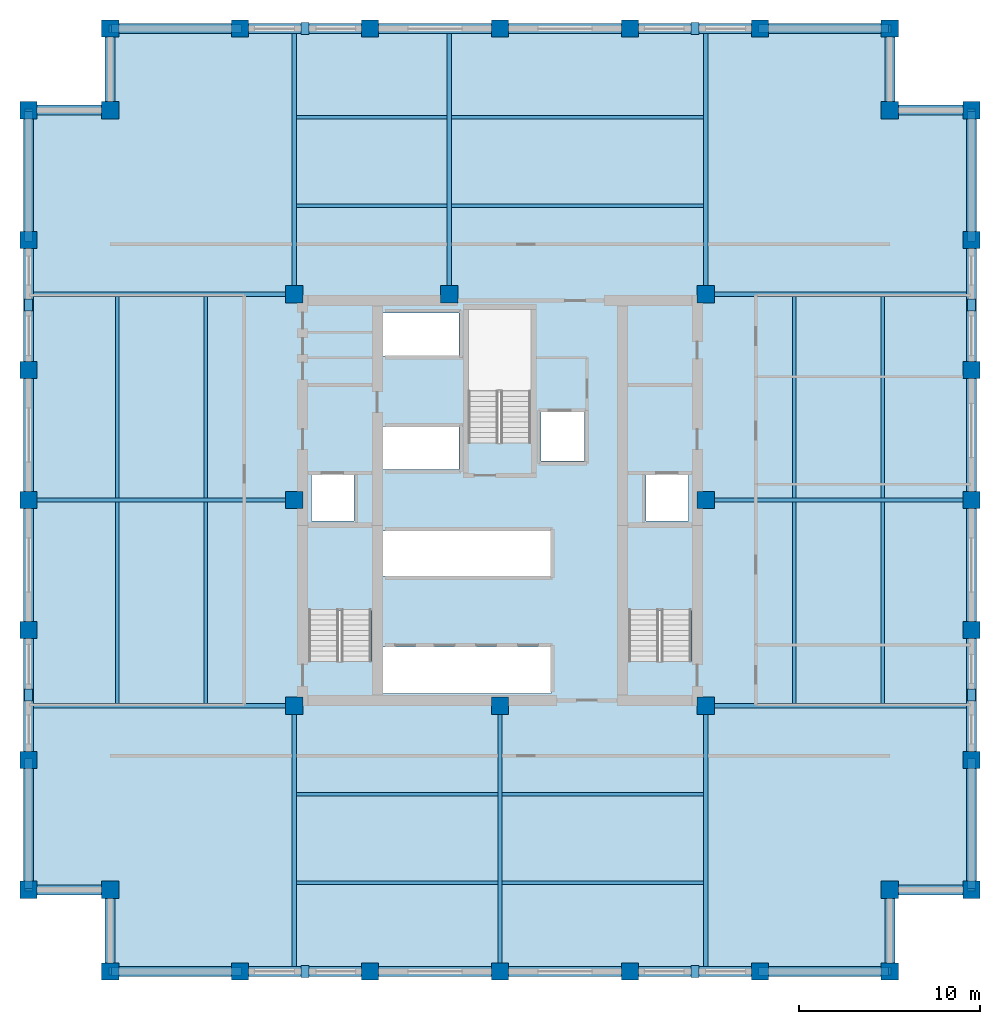
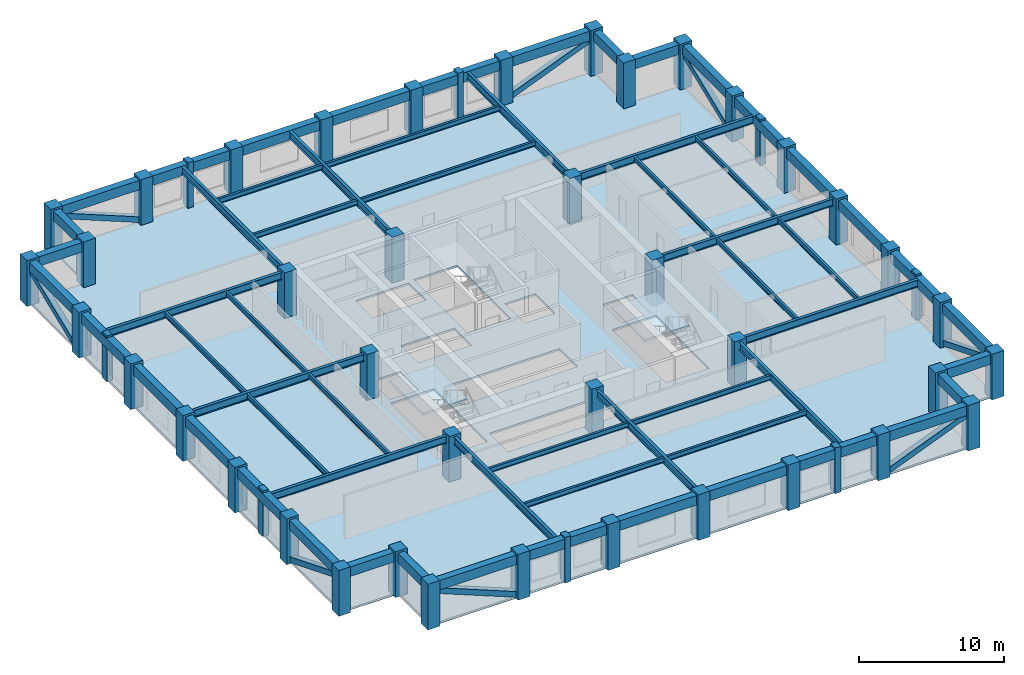
# One storey, part 1 of 6: 60 beams, 40 columns, 16 members, 3 slabs, 2 elements without a shape of their own.
"""IFC4 building model written with IfcOpenShell, lengths in metres."""

from ifc_helpers import new_model, si_unit, direction, frame, origin, origin_2d, place, context, subcontext, project, spatial, polyline, rectangle, hollow_rectangle, i_section, outline, extrude, material, layer, layer_set, material_profile, profile_set, type_object, element, aggregate, save


model = new_model("IFC4")

# Units and contexts
model_context = context("Model", 3, precision=1e-05, world=origin(), true_north=direction((0.0, 1.0)))
body_context = subcontext(model_context, "Body", "Model", "MODEL_VIEW")
ifc_project = project(units=[si_unit("LENGTHUNIT", "METRE"), si_unit("AREAUNIT", "SQUARE_METRE"), si_unit("VOLUMEUNIT", "CUBIC_METRE"), si_unit("PLANEANGLEUNIT", "RADIAN"), si_unit("MASSUNIT", "GRAM", prefix="KILO")], contexts=[model_context])

# Site, building, storey
site_placement = place(None, origin())
site = spatial("IfcSite", under=ifc_project, at=site_placement, CompositionType="ELEMENT")
building_placement = place(site_placement, origin())
building = spatial("IfcBuilding", under=site, at=building_placement, Name="Nhamokura Convention Tower", CompositionType="ELEMENT")
storey_placement = place(building_placement, frame((0.0, 0.0, 145.25)))
storey = spatial("IfcBuildingStorey", under=building, at=storey_placement, Name="L35", CompositionType="ELEMENT", Elevation=145.25)

# Columns
ifc_material_1 = material(Name="Concrete C60/75", Category="concrete")
ifc_material_profile_1 = material_profile(ifc_material_1, rectangle(XDim=0.949951171875, YDim=0.949951171875, at=origin_2d()))
ifc_profile_set_1 = profile_set([ifc_material_profile_1], Name="Concrete C60/75")
column_type = type_object("IfcColumnType", Name="TubeColumn_Z2_950", PredefinedType="COLUMN", material=ifc_profile_set_1)
for number, where, z_axis, x_axis, name in (
    (1, (20.64990234375, 20.64990234375, 0.0), (0.0, 0.0, 1.0), (1.0, 0.0, 0.0), "L35 Core Column CC-SW"),
    (2, (32.0, 20.64990234375, 0.0), (0.0, 0.0, 1.0), (1.0, 0.0, 0.0), "L35 Core Column CC-S"),
    (3, (43.35009765625, 20.64990234375, 0.0), (0.0, 0.0, 1.0), (1.0, 0.0, 0.0), "L35 Core Column CC-SE"),
    (4, (43.35009765625, 32.0, 0.0), (0.0, 0.0, 1.0), (1.0, 0.0, 0.0), "L35 Core Column CC-E"),
    (5, (43.35009765625, 43.35009765625, 0.0), (0.0, 0.0, 1.0), (1.0, 0.0, 0.0), "L35 Core Column CC-NE"),
    (6, (29.199951171875, 43.35009765625, 0.0), (0.0, 0.0, 1.0), (1.0, 0.0, 0.0), "L35 Core Column CC-N"),
    (7, (20.64990234375, 43.35009765625, 0.0), (0.0, 0.0, 1.0), (1.0, 0.0, 0.0), "L35 Core Column CC-NW"),
    (8, (20.64990234375, 32.0, 0.0), (0.0, 0.0, 1.0), (1.0, 0.0, 0.0), "L35 Core Column CC-W"),
    (9, (10.5, 6.0, 0.0), (0.0, 0.0, 1.0), (1.0, 0.0, 0.0), "L35 Perimeter Tube Column SW1"),
    (10, (10.5, 10.5, 0.0), (0.0, 0.0, 1.0), (1.0, 0.0, 0.0), "L35 Perimeter Tube Column SW0"),
    (11, (6.0, 10.5, 0.0), (0.0, 0.0, 1.0), (1.0, 0.0, 0.0), "L35 Perimeter Tube Column SW2"),
    (12, (53.5, 6.0, 0.0), (0.0, 0.0, 1.0), (1.0, 0.0, 0.0), "L35 Perimeter Tube Column SE1"),
    (13, (53.5, 10.5, 0.0), (0.0, 0.0, 1.0), (1.0, 0.0, 0.0), "L35 Perimeter Tube Column SE0"),
    (14, (58.0, 10.5, 0.0), (0.0, 0.0, 1.0), (1.0, 0.0, 0.0), "L35 Perimeter Tube Column SE2"),
    (15, (58.0, 53.5, 0.0), (0.0, 0.0, 1.0), (1.0, 0.0, 0.0), "L35 Perimeter Tube Column NE1"),
    (16, (53.5, 53.5, 0.0), (0.0, 0.0, 1.0), (1.0, 0.0, 0.0), "L35 Perimeter Tube Column NE0"),
    (17, (53.5, 58.0, 0.0), (0.0, 0.0, 1.0), (1.0, 0.0, 0.0), "L35 Perimeter Tube Column NE2"),
    (18, (10.5, 58.0, 0.0), (0.0, 0.0, 1.0), (1.0, 0.0, 0.0), "L35 Perimeter Tube Column NW1"),
    (19, (10.5, 53.5, 0.0), (0.0, 0.0, 1.0), (1.0, 0.0, 0.0), "L35 Perimeter Tube Column NW0"),
    (20, (6.0, 53.5, 0.0), (0.0, 0.0, 1.0), (1.0, 0.0, 0.0), "L35 Perimeter Tube Column NW2"),
    (21, (17.666748046875, 6.0, 0.0), (0.0, 0.0, 1.0), (1.0, 0.0, 0.0), "L35 Perimeter Tube Column S1"),
    (22, (17.666748046875, 58.0, 0.0), (0.0, 0.0, 1.0), (1.0, 0.0, 0.0), "L35 Perimeter Tube Column N1"),
    (23, (6.0, 17.666748046875, 0.0), (0.0, 0.0, 1.0), (1.0, 0.0, 0.0), "L35 Perimeter Tube Column W1"),
    (24, (58.0, 17.666748046875, 0.0), (0.0, 0.0, 1.0), (1.0, 0.0, 0.0), "L35 Perimeter Tube Column E1"),
    (25, (24.833251953125, 6.0, 0.0), (0.0, 0.0, 1.0), (1.0, 0.0, 0.0), "L35 Perimeter Tube Column S2"),
    (26, (24.833251953125, 58.0, 0.0), (0.0, 0.0, 1.0), (1.0, 0.0, 0.0), "L35 Perimeter Tube Column N2"),
    (27, (6.0, 24.833251953125, 0.0), (0.0, 0.0, 1.0), (1.0, 0.0, 0.0), "L35 Perimeter Tube Column W2"),
    (28, (58.0, 24.833251953125, 0.0), (0.0, 0.0, 1.0), (1.0, 0.0, 0.0), "L35 Perimeter Tube Column E2"),
    (29, (32.0, 6.0, 0.0), (0.0, 0.0, 1.0), (1.0, 0.0, 0.0), "L35 Perimeter Tube Column S3"),
    (30, (32.0, 58.0, 0.0), (0.0, 0.0, 1.0), (1.0, 0.0, 0.0), "L35 Perimeter Tube Column N3"),
    (31, (6.0, 32.0, 0.0), (0.0, 0.0, 1.0), (1.0, 0.0, 0.0), "L35 Perimeter Tube Column W3"),
    (32, (58.0, 32.0, 0.0), (0.0, 0.0, 1.0), (1.0, 0.0, 0.0), "L35 Perimeter Tube Column E3"),
    (33, (39.166748046875, 6.0, 0.0), (0.0, 0.0, 1.0), (1.0, 0.0, 0.0), "L35 Perimeter Tube Column S4"),
    (34, (39.166748046875, 58.0, 0.0), (0.0, 0.0, 1.0), (1.0, 0.0, 0.0), "L35 Perimeter Tube Column N4"),
    (35, (6.0, 39.166748046875, 0.0), (0.0, 0.0, 1.0), (1.0, 0.0, 0.0), "L35 Perimeter Tube Column W4"),
    (36, (58.0, 39.166748046875, 0.0), (0.0, 0.0, 1.0), (1.0, 0.0, 0.0), "L35 Perimeter Tube Column E4"),
    (37, (46.333251953125, 6.0, 0.0), (0.0, 0.0, 1.0), (1.0, 0.0, 0.0), "L35 Perimeter Tube Column S5"),
    (38, (46.333251953125, 58.0, 0.0), (0.0, 0.0, 1.0), (1.0, 0.0, 0.0), "L35 Perimeter Tube Column N5"),
    (39, (6.0, 46.333251953125, 0.0), (0.0, 0.0, 1.0), (1.0, 0.0, 0.0), "L35 Perimeter Tube Column W5"),
    (40, (58.0, 46.333251953125, 0.0), (0.0, 0.0, 1.0), (1.0, 0.0, 0.0), "L35 Perimeter Tube Column E5"),
):
    element("IfcColumn", number, at=place(storey_placement, frame(where, z_axis=z_axis, x_axis=x_axis)), inside=storey, type_object=column_type, Name=name, PredefinedType="COLUMN", context=body_context, shape_type="SweptSolid", body=[
        extrude(rectangle(XDim=0.949951171875, YDim=0.949951171875, at=origin_2d()), origin(), (0.0, 0.0, 1.0), 3.85009765625),
    ])

# Members
ifc_material_2 = material(Name="Bronze-pigmented precast concrete C45/55", Category="concrete")
ifc_material_profile_2 = material_profile(ifc_material_2, rectangle(XDim=0.449951171875, YDim=0.64990234375, at=origin_2d()))
ifc_profile_set_2 = profile_set([ifc_material_profile_2], Name="Bronze-pigmented precast concrete C45/55")
member_type_1 = type_object("IfcMemberType", Name="BronzePilaster_650", PredefinedType="USERDEFINED", material=ifc_profile_set_2)
for number, where, z_axis, x_axis, name in (
    (41, (21.25, 6.0, 0.0), (0.0, 0.0, 1.0), (1.0, 0.0, 0.0), "L35 Engaged Frame Pilaster SOUTH 1"),
    (42, (42.75, 6.0, 0.0), (0.0, 0.0, 1.0), (1.0, 0.0, 0.0), "L35 Engaged Frame Pilaster SOUTH 4"),
    (43, (21.25, 58.0, 0.0), (0.0, 0.0, 1.0), (1.0, 0.0, 0.0), "L35 Engaged Frame Pilaster NORTH 1"),
    (44, (42.75, 58.0, 0.0), (0.0, 0.0, 1.0), (1.0, 0.0, 0.0), "L35 Engaged Frame Pilaster NORTH 4"),
    (45, (6.0, 21.25, 0.0), (0.0, 0.0, 1.0), (1.0, 0.0, 0.0), "L35 Engaged Frame Pilaster WEST 1"),
    (46, (6.0, 42.75, 0.0), (0.0, 0.0, 1.0), (1.0, 0.0, 0.0), "L35 Engaged Frame Pilaster WEST 4"),
    (47, (58.0, 21.25, 0.0), (0.0, 0.0, 1.0), (1.0, 0.0, 0.0), "L35 Engaged Frame Pilaster EAST 1"),
    (48, (58.0, 42.75, 0.0), (0.0, 0.0, 1.0), (1.0, 0.0, 0.0), "L35 Engaged Frame Pilaster EAST 4"),
):
    element("IfcMember", number, at=place(storey_placement, frame(where, z_axis=z_axis, x_axis=x_axis)), inside=storey, type_object=member_type_1, Name=name, ObjectType="PILASTER_TRIM", PredefinedType="USERDEFINED", context=body_context, shape_type="SweptSolid", body=[
        extrude(rectangle(XDim=0.449951171875, YDim=0.64990234375, at=origin_2d()), origin(), (0.0, 0.0, 1.0), 3.85009765625),
    ])

# Beams
ifc_material_3 = material(Name="Steel ASTM A992 Gr 50", Category="steel")
ifc_material_profile_3 = material_profile(ifc_material_3, i_section(OverallWidth=0.177001953125, OverallDepth=0.403076171875, WebThickness=0.007568359375, FlangeThickness=0.010986328125, at=origin_2d()))
ifc_profile_set_3 = profile_set([ifc_material_profile_3], Name="Steel ASTM A992 Gr 50")
beam_type_1 = type_object("IfcBeamType", Name="FloorJoist_W410X53", PredefinedType="JOIST", material=ifc_profile_set_3)
for number, where, z_axis, x_axis, name in (
    (49, (20.762939453125, 10.88330078125, 3.4833984375), (1.0, 0.0, 0.0), (0.0, 1.0, 0.0), "L35 Composite Floor Joist S1A"),
    (50, (32.113037109375, 10.88330078125, 3.4833984375), (1.0, 0.0, 0.0), (0.0, 1.0, 0.0), "L35 Composite Floor Joist S1B"),
    (51, (20.762939453125, 15.7666015625, 3.4833984375), (1.0, 0.0, 0.0), (0.0, 1.0, 0.0), "L35 Composite Floor Joist S2A"),
    (52, (32.113037109375, 15.7666015625, 3.4833984375), (1.0, 0.0, 0.0), (0.0, 1.0, 0.0), "L35 Composite Floor Joist S2B"),
):
    element("IfcBeam", number, at=place(storey_placement, frame(where, z_axis=z_axis, x_axis=x_axis)), inside=storey, type_object=beam_type_1, Name=name, PredefinedType="JOIST", context=body_context, shape_type="SweptSolid", body=[
        extrude(i_section(OverallWidth=0.177001953125, OverallDepth=0.403076171875, WebThickness=0.007568359375, FlangeThickness=0.010986328125, at=origin_2d()), origin(), (0.0, 0.0, 1.0), 11.1240234375),
    ])
beam_1_placement = place(storey_placement, frame((20.762939453125, 48.2333984375, 3.4833984375), z_axis=(1.0, 0.0, 0.0), x_axis=(0.0, 1.0, 0.0)))
element("IfcBeam", 53, at=beam_1_placement, inside=storey, type_object=beam_type_1, Name="L35 Composite Floor Joist N1A", PredefinedType="JOIST", context=body_context, shape_type="SweptSolid", body=[
    extrude(i_section(OverallWidth=0.177001953125, OverallDepth=0.403076171875, WebThickness=0.007568359375, FlangeThickness=0.010986328125, at=origin_2d()), origin(), (0.0, 0.0, 1.0), 8.323974609375),
])
beam_2_placement = place(storey_placement, frame((29.31298828125, 48.2333984375, 3.4833984375), z_axis=(1.0, 0.0, 0.0), x_axis=(0.0, 1.0, 0.0)))
element("IfcBeam", 54, at=beam_2_placement, inside=storey, type_object=beam_type_1, Name="L35 Composite Floor Joist N1B", PredefinedType="JOIST", context=body_context, shape_type="SweptSolid", body=[
    extrude(i_section(OverallWidth=0.177001953125, OverallDepth=0.403076171875, WebThickness=0.007568359375, FlangeThickness=0.010986328125, at=origin_2d()), origin(), (0.0, 0.0, 1.0), 13.924072265625),
])
beam_3_placement = place(storey_placement, frame((20.762939453125, 53.11669921875, 3.4833984375), z_axis=(1.0, 0.0, 0.0), x_axis=(0.0, 1.0, 0.0)))
element("IfcBeam", 55, at=beam_3_placement, inside=storey, type_object=beam_type_1, Name="L35 Composite Floor Joist N2A", PredefinedType="JOIST", context=body_context, shape_type="SweptSolid", body=[
    extrude(i_section(OverallWidth=0.177001953125, OverallDepth=0.403076171875, WebThickness=0.007568359375, FlangeThickness=0.010986328125, at=origin_2d()), origin(), (0.0, 0.0, 1.0), 8.323974609375),
])
beam_4_placement = place(storey_placement, frame((29.31298828125, 53.11669921875, 3.4833984375), z_axis=(1.0, 0.0, 0.0), x_axis=(0.0, 1.0, 0.0)))
element("IfcBeam", 56, at=beam_4_placement, inside=storey, type_object=beam_type_1, Name="L35 Composite Floor Joist N2B", PredefinedType="JOIST", context=body_context, shape_type="SweptSolid", body=[
    extrude(i_section(OverallWidth=0.177001953125, OverallDepth=0.403076171875, WebThickness=0.007568359375, FlangeThickness=0.010986328125, at=origin_2d()), origin(), (0.0, 0.0, 1.0), 13.924072265625),
])
for number, where, z_axis, x_axis, name in (
    (57, (10.88330078125, 20.762939453125, 3.4833984375), (0.0, 1.0, 0.0), (-1.0, 0.0, 0.0), "L35 Composite Floor Joist W1A"),
    (58, (10.88330078125, 32.113037109375, 3.4833984375), (0.0, 1.0, 0.0), (-1.0, 0.0, 0.0), "L35 Composite Floor Joist W1B"),
    (59, (15.7666015625, 20.762939453125, 3.4833984375), (0.0, 1.0, 0.0), (-1.0, 0.0, 0.0), "L35 Composite Floor Joist W2A"),
    (60, (15.7666015625, 32.113037109375, 3.4833984375), (0.0, 1.0, 0.0), (-1.0, 0.0, 0.0), "L35 Composite Floor Joist W2B"),
    (61, (48.2333984375, 20.762939453125, 3.4833984375), (0.0, 1.0, 0.0), (-1.0, 0.0, 0.0), "L35 Composite Floor Joist E1A"),
    (62, (48.2333984375, 32.113037109375, 3.4833984375), (0.0, 1.0, 0.0), (-1.0, 0.0, 0.0), "L35 Composite Floor Joist E1B"),
    (63, (53.11669921875, 20.762939453125, 3.4833984375), (0.0, 1.0, 0.0), (-1.0, 0.0, 0.0), "L35 Composite Floor Joist E2A"),
    (64, (53.11669921875, 32.113037109375, 3.4833984375), (0.0, 1.0, 0.0), (-1.0, 0.0, 0.0), "L35 Composite Floor Joist E2B"),
):
    element("IfcBeam", number, at=place(storey_placement, frame(where, z_axis=z_axis, x_axis=x_axis)), inside=storey, type_object=beam_type_1, Name=name, PredefinedType="JOIST", context=body_context, shape_type="SweptSolid", body=[
        extrude(i_section(OverallWidth=0.177001953125, OverallDepth=0.403076171875, WebThickness=0.007568359375, FlangeThickness=0.010986328125, at=origin_2d()), origin(), (0.0, 0.0, 1.0), 11.1240234375),
    ])
ifc_material_4 = material(Name="Steel ASTM A992 Gr 50", Category="steel")
ifc_material_profile_4 = material_profile(ifc_material_4, i_section(OverallWidth=0.22998046875, OverallDepth=0.616943359375, WebThickness=0.01318359375, FlangeThickness=0.022216796875, at=origin_2d()))
ifc_profile_set_4 = profile_set([ifc_material_profile_4], Name="Steel ASTM A992 Gr 50")
beam_type_2 = type_object("IfcBeamType", Name="PrimaryGirder_W610X140", PredefinedType="BEAM", material=ifc_profile_set_4)
for number, where, z_axis, x_axis, name in (
    (65, (20.64990234375, 6.0, 3.37646484375), (0.0, 1.0, 0.0), (-1.0, 0.0, 0.0), "L35 Primary Floor Girder PG-S1"),
    (66, (32.0, 6.0, 3.37646484375), (0.0, 1.0, 0.0), (-1.0, 0.0, 0.0), "L35 Primary Floor Girder PG-S2"),
    (67, (43.35009765625, 6.0, 3.37646484375), (0.0, 1.0, 0.0), (-1.0, 0.0, 0.0), "L35 Primary Floor Girder PG-S3"),
    (68, (20.64990234375, 43.35009765625, 3.37646484375), (0.0, 1.0, 0.0), (-1.0, 0.0, 0.0), "L35 Primary Floor Girder PG-N1"),
    (69, (29.199951171875, 43.35009765625, 3.37646484375), (0.0, 1.0, 0.0), (-1.0, 0.0, 0.0), "L35 Primary Floor Girder PG-N2"),
    (70, (43.35009765625, 43.35009765625, 3.37646484375), (0.0, 1.0, 0.0), (-1.0, 0.0, 0.0), "L35 Primary Floor Girder PG-N3"),
    (71, (6.0, 20.64990234375, 3.37646484375), (1.0, 0.0, 0.0), (0.0, 1.0, 0.0), "L35 Primary Floor Girder PG-W1"),
    (72, (6.0, 32.0, 3.37646484375), (1.0, 0.0, 0.0), (0.0, 1.0, 0.0), "L35 Primary Floor Girder PG-W2"),
    (73, (6.0, 43.35009765625, 3.37646484375), (1.0, 0.0, 0.0), (0.0, 1.0, 0.0), "L35 Primary Floor Girder PG-W3"),
    (74, (43.35009765625, 20.64990234375, 3.37646484375), (1.0, 0.0, 0.0), (0.0, 1.0, 0.0), "L35 Primary Floor Girder PG-E1"),
    (75, (43.35009765625, 32.0, 3.37646484375), (1.0, 0.0, 0.0), (0.0, 1.0, 0.0), "L35 Primary Floor Girder PG-E2"),
    (76, (43.35009765625, 43.35009765625, 3.37646484375), (1.0, 0.0, 0.0), (0.0, 1.0, 0.0), "L35 Primary Floor Girder PG-E3"),
):
    element("IfcBeam", number, at=place(storey_placement, frame(where, z_axis=z_axis, x_axis=x_axis)), inside=storey, type_object=beam_type_2, Name=name, PredefinedType="BEAM", context=body_context, shape_type="SweptSolid", body=[
        extrude(i_section(OverallWidth=0.22998046875, OverallDepth=0.616943359375, WebThickness=0.01318359375, FlangeThickness=0.022216796875, at=origin_2d()), origin(), (0.0, 0.0, 1.0), 14.64990234375),
    ])

# Members
ifc_material_5 = material(Name="Steel ASTM A572 Gr 50", Category="steel")
ifc_material_profile_5 = material_profile(ifc_material_5, hollow_rectangle(XDim=0.449951171875, YDim=0.449951171875, WallThickness=0.02197265625, at=origin_2d()))
ifc_profile_set_5 = profile_set([ifc_material_profile_5], Name="Steel ASTM A572 Gr 50")
member_type_2 = type_object("IfcMemberType", Name="TubeBrace_HSS450", PredefinedType="BRACE", material=ifc_profile_set_5)
for number, where, z_axis, x_axis, name in (
    (77, (17.666748046875, 6.0, 0.14990234375), (-0.927657166893, 0.0, 0.373432966826), (0.0, -1.0, 0.0), "L35 Perimeter Tube Brace SOUTH Bay 0"),
    (78, (46.333251953125, 6.0, 0.14990234375), (0.927657166893, 0.0, 0.373432966826), (0.0, 1.0, 0.0), "L35 Perimeter Tube Brace SOUTH Bay 5"),
    (79, (17.666748046875, 58.0, 0.14990234375), (-0.927657166893, 0.0, 0.373432966826), (0.0, -1.0, 0.0), "L35 Perimeter Tube Brace NORTH Bay 0"),
    (80, (46.333251953125, 58.0, 0.14990234375), (0.927657166893, 0.0, 0.373432966826), (0.0, 1.0, 0.0), "L35 Perimeter Tube Brace NORTH Bay 5"),
    (81, (6.0, 17.666748046875, 0.14990234375), (0.0, -0.927657166893, 0.373432966826), (1.0, 0.0, 0.0), "L35 Perimeter Tube Brace WEST Bay 0"),
    (82, (6.0, 46.333251953125, 0.14990234375), (0.0, 0.927657166893, 0.373432966826), (-1.0, 0.0, 0.0), "L35 Perimeter Tube Brace WEST Bay 5"),
    (83, (58.0, 17.666748046875, 0.14990234375), (0.0, -0.927657166893, 0.373432966826), (1.0, 0.0, 0.0), "L35 Perimeter Tube Brace EAST Bay 0"),
    (84, (58.0, 46.333251953125, 0.14990234375), (0.0, 0.927657166893, 0.373432966826), (-1.0, 0.0, 0.0), "L35 Perimeter Tube Brace EAST Bay 5"),
):
    element("IfcMember", number, at=place(storey_placement, frame(where, z_axis=z_axis, x_axis=x_axis)), inside=storey, type_object=member_type_2, Name=name, PredefinedType="BRACE", context=body_context, shape_type="SweptSolid", body=[
        extrude(hollow_rectangle(XDim=0.449951171875, YDim=0.449951171875, WallThickness=0.02197265625, at=origin_2d()), origin(), (0.0, 0.0, 1.0), 7.7255859375),
    ])

# Beams
ifc_material_6 = material(Name="Concrete C50/60", Category="concrete")
ifc_material_profile_6 = material_profile(ifc_material_6, rectangle(XDim=0.550048828125, YDim=0.800048828125, at=origin_2d()))
ifc_profile_set_6 = profile_set([ifc_material_profile_6], Name="Concrete C50/60")
beam_type_3 = type_object("IfcBeamType", Name="TubeSpandrel_800", PredefinedType="SPANDREL", material=ifc_profile_set_6)
beam_5_placement = place(storey_placement, frame((10.5, 6.0, 3.284912109375), z_axis=(1.0, 0.0, 0.0), x_axis=(0.0, 1.0, 0.0)))
element("IfcBeam", 85, at=beam_5_placement, inside=storey, type_object=beam_type_3, Name="L35 Perimeter Spandrel SOUTH 1", PredefinedType="SPANDREL", context=body_context, shape_type="SweptSolid", body=[
    extrude(rectangle(XDim=0.550048828125, YDim=0.800048828125, at=origin_2d()), origin(), (0.0, 0.0, 1.0), 7.166748046875),
])
beam_6_placement = place(storey_placement, frame((17.666748046875, 6.0, 3.284912109375), z_axis=(1.0, 0.0, 0.0), x_axis=(0.0, 1.0, 0.0)))
element("IfcBeam", 86, at=beam_6_placement, inside=storey, type_object=beam_type_3, Name="L35 Perimeter Spandrel SOUTH 2", PredefinedType="SPANDREL", context=body_context, shape_type="SweptSolid", body=[
    extrude(rectangle(XDim=0.550048828125, YDim=0.800048828125, at=origin_2d()), origin(), (0.0, 0.0, 1.0), 7.16650390625),
])
for number, where, z_axis, x_axis, name in (
    (87, (24.833251953125, 6.0, 3.284912109375), (1.0, 0.0, 0.0), (0.0, 1.0, 0.0), "L35 Perimeter Spandrel SOUTH 3"),
    (88, (32.0, 6.0, 3.284912109375), (1.0, 0.0, 0.0), (0.0, 1.0, 0.0), "L35 Perimeter Spandrel SOUTH 4"),
):
    element("IfcBeam", number, at=place(storey_placement, frame(where, z_axis=z_axis, x_axis=x_axis)), inside=storey, type_object=beam_type_3, Name=name, PredefinedType="SPANDREL", context=body_context, shape_type="SweptSolid", body=[
        extrude(rectangle(XDim=0.550048828125, YDim=0.800048828125, at=origin_2d()), origin(), (0.0, 0.0, 1.0), 7.166748046875),
    ])
beam_7_placement = place(storey_placement, frame((39.166748046875, 6.0, 3.284912109375), z_axis=(1.0, 0.0, 0.0), x_axis=(0.0, 1.0, 0.0)))
element("IfcBeam", 89, at=beam_7_placement, inside=storey, type_object=beam_type_3, Name="L35 Perimeter Spandrel SOUTH 5", PredefinedType="SPANDREL", context=body_context, shape_type="SweptSolid", body=[
    extrude(rectangle(XDim=0.550048828125, YDim=0.800048828125, at=origin_2d()), origin(), (0.0, 0.0, 1.0), 7.16650390625),
])
for number, where, z_axis, x_axis, name in (
    (90, (46.333251953125, 6.0, 3.284912109375), (1.0, 0.0, 0.0), (0.0, 1.0, 0.0), "L35 Perimeter Spandrel SOUTH 6"),
    (91, (10.5, 58.0, 3.284912109375), (1.0, 0.0, 0.0), (0.0, 1.0, 0.0), "L35 Perimeter Spandrel NORTH 1"),
):
    element("IfcBeam", number, at=place(storey_placement, frame(where, z_axis=z_axis, x_axis=x_axis)), inside=storey, type_object=beam_type_3, Name=name, PredefinedType="SPANDREL", context=body_context, shape_type="SweptSolid", body=[
        extrude(rectangle(XDim=0.550048828125, YDim=0.800048828125, at=origin_2d()), origin(), (0.0, 0.0, 1.0), 7.166748046875),
    ])
beam_8_placement = place(storey_placement, frame((17.666748046875, 58.0, 3.284912109375), z_axis=(1.0, 0.0, 0.0), x_axis=(0.0, 1.0, 0.0)))
element("IfcBeam", 92, at=beam_8_placement, inside=storey, type_object=beam_type_3, Name="L35 Perimeter Spandrel NORTH 2", PredefinedType="SPANDREL", context=body_context, shape_type="SweptSolid", body=[
    extrude(rectangle(XDim=0.550048828125, YDim=0.800048828125, at=origin_2d()), origin(), (0.0, 0.0, 1.0), 7.16650390625),
])
for number, where, z_axis, x_axis, name in (
    (93, (24.833251953125, 58.0, 3.284912109375), (1.0, 0.0, 0.0), (0.0, 1.0, 0.0), "L35 Perimeter Spandrel NORTH 3"),
    (94, (32.0, 58.0, 3.284912109375), (1.0, 0.0, 0.0), (0.0, 1.0, 0.0), "L35 Perimeter Spandrel NORTH 4"),
):
    element("IfcBeam", number, at=place(storey_placement, frame(where, z_axis=z_axis, x_axis=x_axis)), inside=storey, type_object=beam_type_3, Name=name, PredefinedType="SPANDREL", context=body_context, shape_type="SweptSolid", body=[
        extrude(rectangle(XDim=0.550048828125, YDim=0.800048828125, at=origin_2d()), origin(), (0.0, 0.0, 1.0), 7.166748046875),
    ])
beam_9_placement = place(storey_placement, frame((39.166748046875, 58.0, 3.284912109375), z_axis=(1.0, 0.0, 0.0), x_axis=(0.0, 1.0, 0.0)))
element("IfcBeam", 95, at=beam_9_placement, inside=storey, type_object=beam_type_3, Name="L35 Perimeter Spandrel NORTH 5", PredefinedType="SPANDREL", context=body_context, shape_type="SweptSolid", body=[
    extrude(rectangle(XDim=0.550048828125, YDim=0.800048828125, at=origin_2d()), origin(), (0.0, 0.0, 1.0), 7.16650390625),
])
for number, where, z_axis, x_axis, name in (
    (96, (46.333251953125, 58.0, 3.284912109375), (1.0, 0.0, 0.0), (0.0, 1.0, 0.0), "L35 Perimeter Spandrel NORTH 6"),
    (97, (6.0, 10.5, 3.284912109375), (0.0, 1.0, 0.0), (-1.0, 0.0, 0.0), "L35 Perimeter Spandrel WEST 1"),
):
    element("IfcBeam", number, at=place(storey_placement, frame(where, z_axis=z_axis, x_axis=x_axis)), inside=storey, type_object=beam_type_3, Name=name, PredefinedType="SPANDREL", context=body_context, shape_type="SweptSolid", body=[
        extrude(rectangle(XDim=0.550048828125, YDim=0.800048828125, at=origin_2d()), origin(), (0.0, 0.0, 1.0), 7.166748046875),
    ])
beam_10_placement = place(storey_placement, frame((6.0, 17.666748046875, 3.284912109375), z_axis=(0.0, 1.0, 0.0), x_axis=(-1.0, 0.0, 0.0)))
element("IfcBeam", 98, at=beam_10_placement, inside=storey, type_object=beam_type_3, Name="L35 Perimeter Spandrel WEST 2", PredefinedType="SPANDREL", context=body_context, shape_type="SweptSolid", body=[
    extrude(rectangle(XDim=0.550048828125, YDim=0.800048828125, at=origin_2d()), origin(), (0.0, 0.0, 1.0), 7.16650390625),
])
for number, where, z_axis, x_axis, name in (
    (99, (6.0, 24.833251953125, 3.284912109375), (0.0, 1.0, 0.0), (-1.0, 0.0, 0.0), "L35 Perimeter Spandrel WEST 3"),
    (100, (6.0, 32.0, 3.284912109375), (0.0, 1.0, 0.0), (-1.0, 0.0, 0.0), "L35 Perimeter Spandrel WEST 4"),
):
    element("IfcBeam", number, at=place(storey_placement, frame(where, z_axis=z_axis, x_axis=x_axis)), inside=storey, type_object=beam_type_3, Name=name, PredefinedType="SPANDREL", context=body_context, shape_type="SweptSolid", body=[
        extrude(rectangle(XDim=0.550048828125, YDim=0.800048828125, at=origin_2d()), origin(), (0.0, 0.0, 1.0), 7.166748046875),
    ])
beam_11_placement = place(storey_placement, frame((6.0, 39.166748046875, 3.284912109375), z_axis=(0.0, 1.0, 0.0), x_axis=(-1.0, 0.0, 0.0)))
element("IfcBeam", 101, at=beam_11_placement, inside=storey, type_object=beam_type_3, Name="L35 Perimeter Spandrel WEST 5", PredefinedType="SPANDREL", context=body_context, shape_type="SweptSolid", body=[
    extrude(rectangle(XDim=0.550048828125, YDim=0.800048828125, at=origin_2d()), origin(), (0.0, 0.0, 1.0), 7.16650390625),
])
for number, where, z_axis, x_axis, name in (
    (102, (6.0, 46.333251953125, 3.284912109375), (0.0, 1.0, 0.0), (-1.0, 0.0, 0.0), "L35 Perimeter Spandrel WEST 6"),
    (103, (58.0, 10.5, 3.284912109375), (0.0, 1.0, 0.0), (-1.0, 0.0, 0.0), "L35 Perimeter Spandrel EAST 1"),
):
    element("IfcBeam", number, at=place(storey_placement, frame(where, z_axis=z_axis, x_axis=x_axis)), inside=storey, type_object=beam_type_3, Name=name, PredefinedType="SPANDREL", context=body_context, shape_type="SweptSolid", body=[
        extrude(rectangle(XDim=0.550048828125, YDim=0.800048828125, at=origin_2d()), origin(), (0.0, 0.0, 1.0), 7.166748046875),
    ])
beam_12_placement = place(storey_placement, frame((58.0, 17.666748046875, 3.284912109375), z_axis=(0.0, 1.0, 0.0), x_axis=(-1.0, 0.0, 0.0)))
element("IfcBeam", 104, at=beam_12_placement, inside=storey, type_object=beam_type_3, Name="L35 Perimeter Spandrel EAST 2", PredefinedType="SPANDREL", context=body_context, shape_type="SweptSolid", body=[
    extrude(rectangle(XDim=0.550048828125, YDim=0.800048828125, at=origin_2d()), origin(), (0.0, 0.0, 1.0), 7.16650390625),
])
for number, where, z_axis, x_axis, name in (
    (105, (58.0, 24.833251953125, 3.284912109375), (0.0, 1.0, 0.0), (-1.0, 0.0, 0.0), "L35 Perimeter Spandrel EAST 3"),
    (106, (58.0, 32.0, 3.284912109375), (0.0, 1.0, 0.0), (-1.0, 0.0, 0.0), "L35 Perimeter Spandrel EAST 4"),
):
    element("IfcBeam", number, at=place(storey_placement, frame(where, z_axis=z_axis, x_axis=x_axis)), inside=storey, type_object=beam_type_3, Name=name, PredefinedType="SPANDREL", context=body_context, shape_type="SweptSolid", body=[
        extrude(rectangle(XDim=0.550048828125, YDim=0.800048828125, at=origin_2d()), origin(), (0.0, 0.0, 1.0), 7.166748046875),
    ])
beam_13_placement = place(storey_placement, frame((58.0, 39.166748046875, 3.284912109375), z_axis=(0.0, 1.0, 0.0), x_axis=(-1.0, 0.0, 0.0)))
element("IfcBeam", 107, at=beam_13_placement, inside=storey, type_object=beam_type_3, Name="L35 Perimeter Spandrel EAST 5", PredefinedType="SPANDREL", context=body_context, shape_type="SweptSolid", body=[
    extrude(rectangle(XDim=0.550048828125, YDim=0.800048828125, at=origin_2d()), origin(), (0.0, 0.0, 1.0), 7.16650390625),
])
beam_14_placement = place(storey_placement, frame((58.0, 46.333251953125, 3.284912109375), z_axis=(0.0, 1.0, 0.0), x_axis=(-1.0, 0.0, 0.0)))
element("IfcBeam", 108, at=beam_14_placement, inside=storey, type_object=beam_type_3, Name="L35 Perimeter Spandrel EAST 6", PredefinedType="SPANDREL", context=body_context, shape_type="SweptSolid", body=[
    extrude(rectangle(XDim=0.550048828125, YDim=0.800048828125, at=origin_2d()), origin(), (0.0, 0.0, 1.0), 7.166748046875),
])
for number, where, z_axis, x_axis, name in (
    (109, (10.5, 6.0, 3.284912109375), (0.0, 1.0, 0.0), (-1.0, 0.0, 0.0), "L35 Notch Spandrel SW1"),
    (110, (10.5, 10.5, 3.284912109375), (-1.0, 0.0, 0.0), (0.0, -1.0, 0.0), "L35 Notch Spandrel SW2"),
    (111, (53.5, 6.0, 3.284912109375), (0.0, 1.0, 0.0), (-1.0, 0.0, 0.0), "L35 Notch Spandrel SE1"),
    (112, (53.5, 10.5, 3.284912109375), (1.0, 0.0, 0.0), (0.0, 1.0, 0.0), "L35 Notch Spandrel SE2"),
    (113, (58.0, 53.5, 3.284912109375), (-1.0, 0.0, 0.0), (0.0, -1.0, 0.0), "L35 Notch Spandrel NE1"),
    (114, (53.5, 53.5, 3.284912109375), (0.0, 1.0, 0.0), (-1.0, 0.0, 0.0), "L35 Notch Spandrel NE2"),
    (115, (10.5, 58.0, 3.284912109375), (0.0, -1.0, 0.0), (1.0, 0.0, 0.0), "L35 Notch Spandrel NW1"),
    (116, (10.5, 53.5, 3.284912109375), (-1.0, 0.0, 0.0), (0.0, -1.0, 0.0), "L35 Notch Spandrel NW2"),
):
    element("IfcBeam", number, at=place(storey_placement, frame(where, z_axis=z_axis, x_axis=x_axis)), inside=storey, type_object=beam_type_3, Name=name, PredefinedType="SPANDREL", context=body_context, shape_type="SweptSolid", body=[
        extrude(rectangle(XDim=0.550048828125, YDim=0.800048828125, at=origin_2d()), origin(), (0.0, 0.0, 1.0), 4.5),
    ])

# Slab
ifc_material_7 = material(Name="Concrete C40/50", Category="concrete")
ifc_layer_1 = layer(ifc_material_7, 0.1650390625)
ifc_layer_set_1 = layer_set([ifc_layer_1], Name="OfficeFloorSlab_165")
slab_type_1 = type_object("IfcSlabType", Name="OfficeFloorSlab_165", PredefinedType="FLOOR", material=ifc_layer_set_1)
slab_1_placement = place(storey_placement, frame((0.0, 0.0, -0.1650390625)))
element("IfcSlab", 117, at=slab_1_placement, inside=storey, type_object=slab_type_1, Name="L35 Structural Floor Slab", PredefinedType="FLOOR", context=body_context, shape_type="SweptSolid", body=[
    extrude(outline(polyline([(10.5, 6.0), (53.5, 6.0), (53.5, 10.5), (58.0, 10.5), (58.0, 53.5), (53.5, 53.5), (53.5, 58.0), (10.5, 58.0), (10.5, 53.5), (6.0, 53.5), (6.0, 10.5), (10.5, 10.5), (10.5, 6.0)]), holes=[polyline([(24.89990234375, 23.10009765625), (24.89990234375, 30.449951171875), (21.449951171875, 30.449951171875), (21.449951171875, 23.10009765625), (24.89990234375, 23.10009765625)]), polyline([(42.550048828125, 23.10009765625), (42.550048828125, 30.449951171875), (39.10009765625, 30.449951171875), (39.10009765625, 23.10009765625), (42.550048828125, 23.10009765625)]), polyline([(33.699951171875, 35.14990234375), (33.699951171875, 42.5), (30.25, 42.5), (30.25, 35.14990234375), (33.699951171875, 35.14990234375)]), polyline([(21.60009765625, 30.85009765625), (23.949951171875, 30.85009765625), (23.949951171875, 33.39990234375), (21.60009765625, 33.39990234375), (21.60009765625, 30.85009765625)]), polyline([(40.050048828125, 30.85009765625), (42.39990234375, 30.85009765625), (42.39990234375, 33.39990234375), (40.050048828125, 33.39990234375), (40.050048828125, 30.85009765625)]), polyline([(34.25, 34.14990234375), (36.64990234375, 34.14990234375), (36.64990234375, 36.85009765625), (34.25, 36.85009765625), (34.25, 34.14990234375)]), polyline([(25.52001953125, 21.320068359375), (34.800048828125, 21.320068359375), (34.800048828125, 23.89990234375), (25.52001953125, 23.89990234375), (25.52001953125, 21.320068359375)]), polyline([(25.52001953125, 27.800048828125), (34.800048828125, 27.800048828125), (34.800048828125, 30.300048828125), (25.52001953125, 30.300048828125), (25.52001953125, 27.800048828125)]), polyline([(25.52001953125, 33.679931640625), (29.75, 33.679931640625), (29.75, 36.050048828125), (25.52001953125, 36.050048828125), (25.52001953125, 33.679931640625)]), polyline([(25.52001953125, 39.949951171875), (29.75, 39.949951171875), (29.75, 42.320068359375), (25.52001953125, 42.320068359375), (25.52001953125, 39.949951171875)])]), origin(), (0.0, 0.0, 1.0), 0.1650390625),
])

# Stair, slab
ifc_material_8 = material(Name="Concrete C40/50", Category="concrete")
stair_type = type_object("IfcStairType", Name="TowerCoreStair_1650", PredefinedType="HALF_TURN_STAIR", material=ifc_material_8)
stair_1_placement = place(storey_placement, origin())
stair_1 = element("IfcStair", 118, at=stair_1_placement, inside=storey, type_object=stair_type, Name="L35 West Core Smokeproof Stair ST-01", PredefinedType="HALF_TURN_STAIR")
ifc_material_9 = material(Name="Concrete C40/50", Category="concrete")
ifc_layer_2 = layer(ifc_material_9, 0.199951171875)
ifc_layer_set_2 = layer_set([ifc_layer_2], Name="StairLandingSlab_200")
slab_type_2 = type_object("IfcSlabType", Name="StairLandingSlab_200", PredefinedType="LANDING", material=ifc_layer_set_2)
slab_2_placement = place(storey_placement, frame((0.0, 0.0, 1.72509765625)))
slab_2 = element("IfcSlab", 119, at=slab_2_placement, type_object=slab_type_2, Name="ST-01 landing 1", PredefinedType="LANDING", context=body_context, shape_type="SweptSolid", body=[
    extrude(outline(polyline([(24.97998046875, 25.8701171875), (24.97998046875, 30.530029296875), (21.3701171875, 30.530029296875), (21.3701171875, 25.8701171875), (24.97998046875, 25.8701171875)])), origin(), (0.0, 0.0, 1.0), 0.199951171875),
])
aggregate(stair_1, [slab_2])

stair_2_placement = place(storey_placement, origin())
stair_2 = element("IfcStair", 120, at=stair_2_placement, inside=storey, type_object=stair_type, Name="L35 East Core Smokeproof Stair ST-02", PredefinedType="HALF_TURN_STAIR")
slab_3_placement = place(storey_placement, frame((0.0, 0.0, 1.72509765625)))
slab_3 = element("IfcSlab", 121, at=slab_3_placement, type_object=slab_type_2, Name="ST-02 landing 1", PredefinedType="LANDING", context=body_context, shape_type="SweptSolid", body=[
    extrude(outline(polyline([(42.6298828125, 25.8701171875), (42.6298828125, 30.530029296875), (39.02001953125, 30.530029296875), (39.02001953125, 25.8701171875), (42.6298828125, 25.8701171875)])), origin(), (0.0, 0.0, 1.0), 0.199951171875),
])
aggregate(stair_2, [slab_3])

save(model, "model.ifc")
